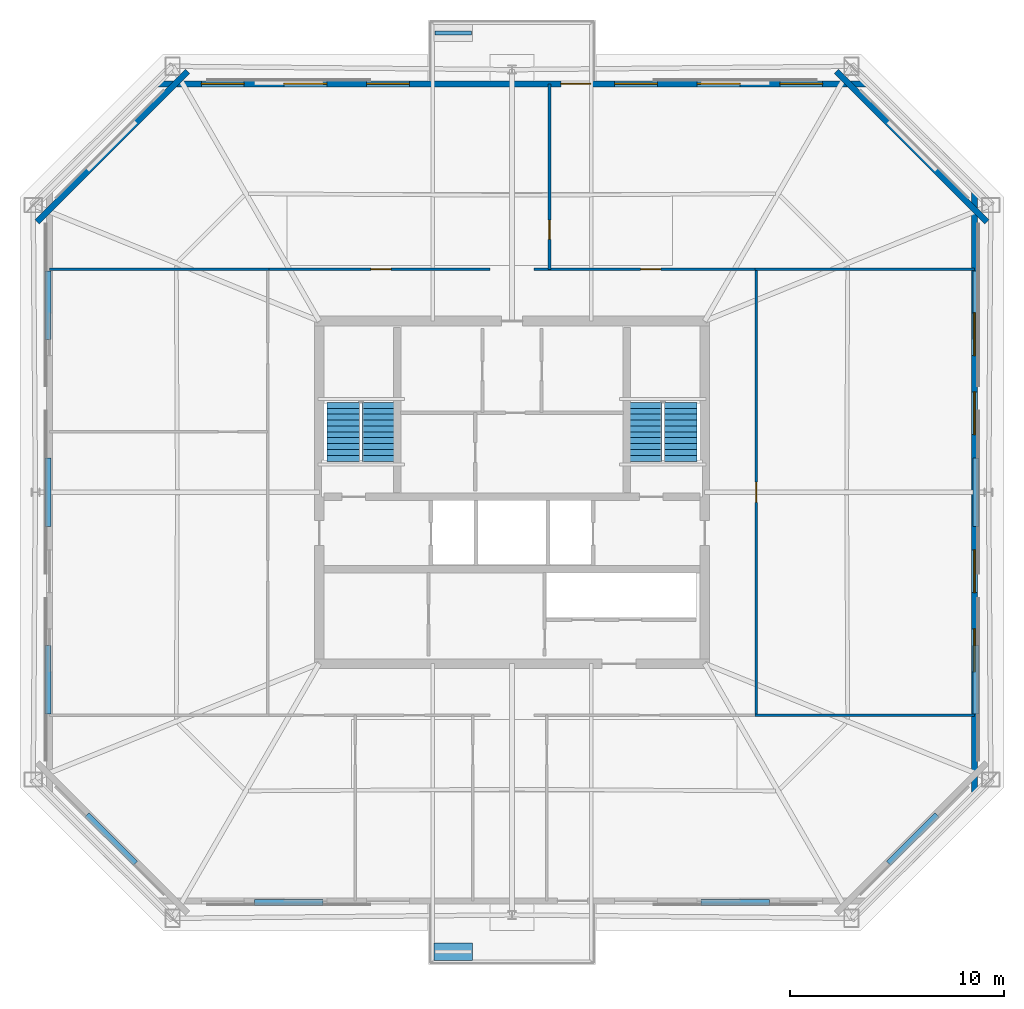
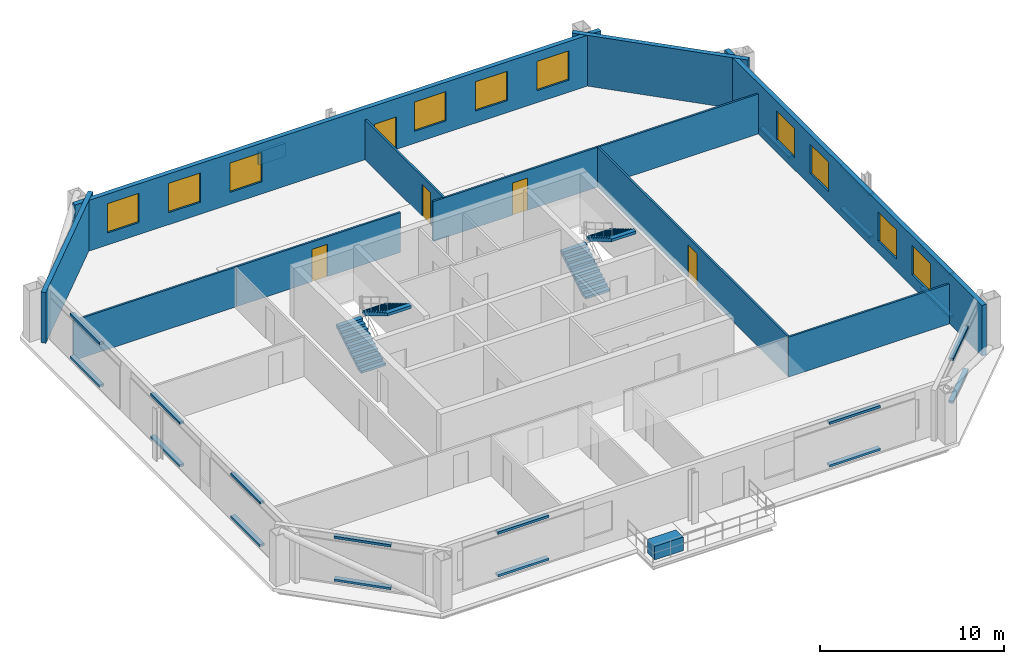
# One storey, part 4 of 7: 20 discrete accessories, 12 walls, 10 windows, 5 doors, 4 stair flights, 15 openings, 2 elements without a shape of their own.
"""IFC4 building model written with IfcOpenShell, lengths in metres."""

from ifc_helpers import new_model, si_unit, direction, frame, frame_2d, origin, origin_2d, place, context, subcontext, project, spatial, polyline, rectangle, outline, extrude, material, layer, layer_set, type_object, element, fill, aggregate, save


model = new_model("IFC4")

# Units and contexts
model_context = context("Model", 3, precision=1e-05, world=origin(), true_north=direction((0.0, 1.0)))
body_context = subcontext(model_context, "Body", "Model", "MODEL_VIEW")
ifc_project = project(units=[si_unit("LENGTHUNIT", "METRE"), si_unit("AREAUNIT", "SQUARE_METRE"), si_unit("VOLUMEUNIT", "CUBIC_METRE"), si_unit("PLANEANGLEUNIT", "RADIAN"), si_unit("MASSUNIT", "GRAM", prefix="KILO")], contexts=[model_context])

# Site, building, storey
site_placement = place(None, origin())
site = spatial("IfcSite", under=ifc_project, at=site_placement, CompositionType="ELEMENT")
building_placement = place(site_placement, origin())
building = spatial("IfcBuilding", under=site, at=building_placement, Name="Caelvoria Tower", CompositionType="ELEMENT")
storey_placement = place(building_placement, frame((0.0, 0.0, 187.800048828125)))
storey = spatial("IfcBuildingStorey", under=building, at=storey_placement, Name="L49", CompositionType="ELEMENT", Elevation=187.800048828125)

# Wall
ifc_material_1 = material(Name="Bronze-Clad Concrete C40/50", Category="concrete")
ifc_layer_1 = layer(ifc_material_1, 0.179931640625, Name="Bronze-Clad Concrete C40/50")
ifc_layer_set_1 = layer_set([ifc_layer_1], Name="Architectural Planter Kerb Wall 180 - Bronze-Clad Concrete C40/50")
wall_type_1 = type_object("IfcWallType", Name="Architectural Planter Kerb Wall 180", PredefinedType="PARAPET", material=ifc_layer_set_1)
wall_1_placement = place(storey_placement, frame((42.39990234375, 53.4599609375, 0.0), z_axis=(0.0, 0.0, 1.0), x_axis=(1.0, 0.0, 0.0)))
element("IfcWall", 1, at=wall_1_placement, inside=storey, type_object=wall_type_1, Name="Tree Balcony Planter Kerb PLANTER TB-L49-N", PredefinedType="PARAPET", context=body_context, shape_type="SweptSolid", body=[
    extrude(rectangle(XDim=1.7001953125, YDim=0.179931640625, at=frame_2d((0.85009765625, 0.0))), origin(), (0.0, 0.0, 1.0), 0.8798828125),
])

# Wall, openings, windows
ifc_material_2 = material(Name="Precast Concrete C40/50 with Bronze Cladding", Category="concrete")
ifc_layer_2 = layer(ifc_material_2, 0.280029296875, Name="Precast Concrete C40/50 with Bronze Cladding")
ifc_layer_set_2 = layer_set([ifc_layer_2], Name="Exterior Precast Concrete C40/50 Bronze-Clad Facade Wall 280 - Precast Concrete C40/50 with Bronze Cladding")
wall_type_2 = type_object("IfcWallType", Name="Exterior Precast Concrete C40/50 Bronze-Clad Facade Wall 280", PredefinedType="STANDARD", material=ifc_layer_set_2)
wall_2_placement = place(storey_placement, frame((67.60009765625, 17.97998046875, 0.0), z_axis=(0.0, 0.0, 1.0), x_axis=(0.0, 1.0, 0.0)))
wall_2 = element("IfcWall", 2, at=wall_2_placement, inside=storey, type_object=wall_type_2, Name="Exterior Facade Wall L49-E2", PredefinedType="STANDARD", context=body_context, shape_type="SweptSolid", body=[
    extrude(rectangle(XDim=28.0400390625, YDim=0.280029296875, at=frame_2d((14.02001953125, 0.0))), origin(), (0.0, 0.0, 1.0), 3.375),
])
opening_1_placement = place(wall_2_placement, frame((5.63720703125, 0.0, 0.800048828125)))
opening_1 = element("IfcOpeningElement", 3, at=opening_1_placement, cuts=wall_2, Name="Opening WN-01", PredefinedType="OPENING", context=body_context, shape_type="SweptSolid", body=[
    extrude(rectangle(XDim=2.0, YDim=1.949951171875, at=frame_2d((1.0, 0.97509765625))), frame((0.0, 0.14990234375, 0.0), z_axis=(0.0, -1.0, 0.0), x_axis=(1.0, 0.0, 0.0)), (0.0, 0.0, 1.0), 0.300048828125),
])
opening_2_placement = place(wall_2_placement, frame((9.32861328125, 0.0, 0.800048828125)))
opening_2 = element("IfcOpeningElement", 4, at=opening_2_placement, cuts=wall_2, Name="Opening WN-01", PredefinedType="OPENING", context=body_context, shape_type="SweptSolid", body=[
    extrude(rectangle(XDim=2.0, YDim=1.949951171875, at=frame_2d((1.0, 0.97509765625))), frame((0.0, 0.14990234375, 0.0), z_axis=(0.0, -1.0, 0.0), x_axis=(1.0, 0.0, 0.0)), (0.0, 0.0, 1.0), 0.300048828125),
])
opening_3_placement = place(wall_2_placement, frame((16.71142578125, 0.0, 0.800048828125)))
opening_3 = element("IfcOpeningElement", 5, at=opening_3_placement, cuts=wall_2, Name="Opening WN-01", PredefinedType="OPENING", context=body_context, shape_type="SweptSolid", body=[
    extrude(rectangle(XDim=2.0, YDim=1.949951171875, at=frame_2d((1.0, 0.97509765625))), frame((0.0, 0.14990234375, 0.0), z_axis=(0.0, -1.0, 0.0), x_axis=(1.0, 0.0, 0.0)), (0.0, 0.0, 1.0), 0.300048828125),
])
opening_4_placement = place(wall_2_placement, frame((20.40283203125, 0.0, 0.800048828125)))
opening_4 = element("IfcOpeningElement", 6, at=opening_4_placement, cuts=wall_2, Name="Opening WN-01", PredefinedType="OPENING", context=body_context, shape_type="SweptSolid", body=[
    extrude(rectangle(XDim=2.0, YDim=1.949951171875, at=frame_2d((1.0, 0.97509765625))), frame((0.0, 0.14990234375, 0.0), z_axis=(0.0, -1.0, 0.0), x_axis=(1.0, 0.0, 0.0)), (0.0, 0.0, 1.0), 0.300048828125),
])
ifc_material_3 = material(Name="Low-E Tinted Glass in Bronze Aluminium Frame", Category="aluminium")
window_type = type_object("IfcWindowType", Name="Tower Office Vision Window 2000x1950", PartitioningType="SINGLE_PANEL", PredefinedType="WINDOW", material=ifc_material_3)
window_1_placement = place(opening_1_placement, origin())
window_1 = element("IfcWindow", 7, at=window_1_placement, inside=storey, type_object=window_type, Name="Facade Window L49-E2-01", OverallHeight=1.949951171875, OverallWidth=2.0, PartitioningType="SINGLE_PANEL", PredefinedType="WINDOW", context=body_context, shape_type="SweptSolid", body=[
    extrude(rectangle(XDim=2.0, YDim=1.949951171875, at=frame_2d((1.0, 0.97509765625))), frame((0.0, 0.030029296875, 0.0), z_axis=(0.0, -1.0, 0.0), x_axis=(1.0, 0.0, 0.0)), (0.0, 0.0, 1.0), 0.06005859375),
])
fill(opening_1, window_1)
window_2_placement = place(opening_2_placement, origin())
window_2 = element("IfcWindow", 8, at=window_2_placement, inside=storey, type_object=window_type, Name="Facade Window L49-E2-02", OverallHeight=1.949951171875, OverallWidth=2.0, PartitioningType="SINGLE_PANEL", PredefinedType="WINDOW", context=body_context, shape_type="SweptSolid", body=[
    extrude(rectangle(XDim=2.0, YDim=1.949951171875, at=frame_2d((1.0, 0.97509765625))), frame((0.0, 0.030029296875, 0.0), z_axis=(0.0, -1.0, 0.0), x_axis=(1.0, 0.0, 0.0)), (0.0, 0.0, 1.0), 0.06005859375),
])
fill(opening_2, window_2)
window_3_placement = place(opening_3_placement, origin())
window_3 = element("IfcWindow", 9, at=window_3_placement, inside=storey, type_object=window_type, Name="Facade Window L49-E2-04", OverallHeight=1.949951171875, OverallWidth=2.0, PartitioningType="SINGLE_PANEL", PredefinedType="WINDOW", context=body_context, shape_type="SweptSolid", body=[
    extrude(rectangle(XDim=2.0, YDim=1.949951171875, at=frame_2d((1.0, 0.97509765625))), frame((0.0, 0.030029296875, 0.0), z_axis=(0.0, -1.0, 0.0), x_axis=(1.0, 0.0, 0.0)), (0.0, 0.0, 1.0), 0.06005859375),
])
fill(opening_3, window_3)
window_4_placement = place(opening_4_placement, origin())
window_4 = element("IfcWindow", 10, at=window_4_placement, inside=storey, type_object=window_type, Name="Facade Window L49-E2-05", OverallHeight=1.949951171875, OverallWidth=2.0, PartitioningType="SINGLE_PANEL", PredefinedType="WINDOW", context=body_context, shape_type="SweptSolid", body=[
    extrude(rectangle(XDim=2.0, YDim=1.949951171875, at=frame_2d((1.0, 0.97509765625))), frame((0.0, 0.030029296875, 0.0), z_axis=(0.0, -1.0, 0.0), x_axis=(1.0, 0.0, 0.0)), (0.0, 0.0, 1.0), 0.06005859375),
])
fill(opening_4, window_4)

# Wall
wall_3_placement = place(storey_placement, frame((68.173828125, 44.634521484375, 0.0), z_axis=(0.0, 0.0, 1.0), x_axis=(-0.707106781187, 0.707106781187, 0.0)))
element("IfcWall", 11, at=wall_3_placement, inside=storey, type_object=wall_type_2, Name="Exterior Facade Wall L49-E3", PredefinedType="STANDARD", context=body_context, shape_type="SweptSolid", body=[
    extrude(rectangle(XDim=9.9267578125, YDim=0.280029296875, at=frame_2d((4.96337890625, 0.0))), origin(), (0.0, 0.0, 1.0), 3.375),
])

# Wall, openings, windows, door
wall_4_placement = place(storey_placement, frame((62.5400390625, 51.080078125, 0.0), z_axis=(0.0, 0.0, 1.0), x_axis=(-1.0, 0.0, 0.0)))
wall_4 = element("IfcWall", 12, at=wall_4_placement, inside=storey, type_object=wall_type_2, Name="Exterior Facade Wall L49-E4", PredefinedType="STANDARD", context=body_context, shape_type="SweptSolid", body=[
    extrude(rectangle(XDim=33.080078125, YDim=0.280029296875, at=frame_2d((16.5400390625, 0.0))), origin(), (0.0, 0.0, 1.0), 3.375),
])
opening_5_placement = place(wall_4_placement, frame((12.860107421875, 0.0, 0.0)))
opening_5 = element("IfcOpeningElement", 13, at=opening_5_placement, cuts=wall_4, Name="Opening ED-04", PredefinedType="OPENING", context=body_context, shape_type="SweptSolid", body=[
    extrude(rectangle(XDim=1.39990234375, YDim=2.14990234375, at=frame_2d((0.699951171875, 1.074951171875))), frame((0.0, 0.14990234375, 0.0), z_axis=(0.0, -1.0, 0.0), x_axis=(1.0, 0.0, 0.0)), (0.0, 0.0, 1.0), 0.300048828125),
])
opening_6_placement = place(wall_4_placement, frame((2.030029296875, 0.0, 0.800048828125)))
opening_6 = element("IfcOpeningElement", 14, at=opening_6_placement, cuts=wall_4, Name="Opening WN-01", PredefinedType="OPENING", context=body_context, shape_type="SweptSolid", body=[
    extrude(rectangle(XDim=2.0, YDim=1.949951171875, at=frame_2d((1.0, 0.97509765625))), frame((0.0, 0.14990234375, 0.0), z_axis=(0.0, -1.0, 0.0), x_axis=(1.0, 0.0, 0.0)), (0.0, 0.0, 1.0), 0.300048828125),
])
opening_7_placement = place(wall_4_placement, frame((5.889892578125, 0.0, 0.800048828125)))
opening_7 = element("IfcOpeningElement", 15, at=opening_7_placement, cuts=wall_4, Name="Opening WN-01", PredefinedType="OPENING", context=body_context, shape_type="SweptSolid", body=[
    extrude(rectangle(XDim=2.0, YDim=1.949951171875, at=frame_2d((1.0, 0.97509765625))), frame((0.0, 0.14990234375, 0.0), z_axis=(0.0, -1.0, 0.0), x_axis=(1.0, 0.0, 0.0)), (0.0, 0.0, 1.0), 0.300048828125),
])
opening_8_placement = place(wall_4_placement, frame((9.75, 0.0, 0.800048828125)))
opening_8 = element("IfcOpeningElement", 16, at=opening_8_placement, cuts=wall_4, Name="Opening WN-01", PredefinedType="OPENING", context=body_context, shape_type="SweptSolid", body=[
    extrude(rectangle(XDim=2.0, YDim=1.949951171875, at=frame_2d((1.0, 0.97509765625))), frame((0.0, 0.14990234375, 0.0), z_axis=(0.0, -1.0, 0.0), x_axis=(1.0, 0.0, 0.0)), (0.0, 0.0, 1.0), 0.300048828125),
])
opening_9_placement = place(wall_4_placement, frame((21.330078125, 0.0, 0.800048828125)))
opening_9 = element("IfcOpeningElement", 17, at=opening_9_placement, cuts=wall_4, Name="Opening WN-01", PredefinedType="OPENING", context=body_context, shape_type="SweptSolid", body=[
    extrude(rectangle(XDim=2.0, YDim=1.949951171875, at=frame_2d((1.0, 0.97509765625))), frame((0.0, 0.14990234375, 0.0), z_axis=(0.0, -1.0, 0.0), x_axis=(1.0, 0.0, 0.0)), (0.0, 0.0, 1.0), 0.300048828125),
])
opening_10_placement = place(wall_4_placement, frame((25.18994140625, 0.0, 0.800048828125)))
opening_10 = element("IfcOpeningElement", 18, at=opening_10_placement, cuts=wall_4, Name="Opening WN-01", PredefinedType="OPENING", context=body_context, shape_type="SweptSolid", body=[
    extrude(rectangle(XDim=2.0, YDim=1.949951171875, at=frame_2d((1.0, 0.97509765625))), frame((0.0, 0.14990234375, 0.0), z_axis=(0.0, -1.0, 0.0), x_axis=(1.0, 0.0, 0.0)), (0.0, 0.0, 1.0), 0.300048828125),
])
opening_11_placement = place(wall_4_placement, frame((29.050048828125, 0.0, 0.800048828125)))
opening_11 = element("IfcOpeningElement", 19, at=opening_11_placement, cuts=wall_4, Name="Opening WN-01", PredefinedType="OPENING", context=body_context, shape_type="SweptSolid", body=[
    extrude(rectangle(XDim=2.0, YDim=1.949951171875, at=frame_2d((1.0, 0.97509765625))), frame((0.0, 0.14990234375, 0.0), z_axis=(0.0, -1.0, 0.0), x_axis=(1.0, 0.0, 0.0)), (0.0, 0.0, 1.0), 0.300048828125),
])
window_5_placement = place(opening_6_placement, origin())
window_5 = element("IfcWindow", 20, at=window_5_placement, inside=storey, type_object=window_type, Name="Facade Window L49-E4-00", OverallHeight=1.949951171875, OverallWidth=2.0, PartitioningType="SINGLE_PANEL", PredefinedType="WINDOW", context=body_context, shape_type="SweptSolid", body=[
    extrude(rectangle(XDim=2.0, YDim=1.949951171875, at=frame_2d((1.0, 0.97509765625))), frame((0.0, 0.030029296875, 0.0), z_axis=(0.0, -1.0, 0.0), x_axis=(1.0, 0.0, 0.0)), (0.0, 0.0, 1.0), 0.06005859375),
])
fill(opening_6, window_5)
window_6_placement = place(opening_7_placement, origin())
window_6 = element("IfcWindow", 21, at=window_6_placement, inside=storey, type_object=window_type, Name="Facade Window L49-E4-01", OverallHeight=1.949951171875, OverallWidth=2.0, PartitioningType="SINGLE_PANEL", PredefinedType="WINDOW", context=body_context, shape_type="SweptSolid", body=[
    extrude(rectangle(XDim=2.0, YDim=1.949951171875, at=frame_2d((1.0, 0.97509765625))), frame((0.0, 0.030029296875, 0.0), z_axis=(0.0, -1.0, 0.0), x_axis=(1.0, 0.0, 0.0)), (0.0, 0.0, 1.0), 0.06005859375),
])
fill(opening_7, window_6)
window_7_placement = place(opening_8_placement, origin())
window_7 = element("IfcWindow", 22, at=window_7_placement, inside=storey, type_object=window_type, Name="Facade Window L49-E4-02", OverallHeight=1.949951171875, OverallWidth=2.0, PartitioningType="SINGLE_PANEL", PredefinedType="WINDOW", context=body_context, shape_type="SweptSolid", body=[
    extrude(rectangle(XDim=2.0, YDim=1.949951171875, at=frame_2d((1.0, 0.97509765625))), frame((0.0, 0.030029296875, 0.0), z_axis=(0.0, -1.0, 0.0), x_axis=(1.0, 0.0, 0.0)), (0.0, 0.0, 1.0), 0.06005859375),
])
fill(opening_8, window_7)
window_8_placement = place(opening_9_placement, origin())
window_8 = element("IfcWindow", 23, at=window_8_placement, inside=storey, type_object=window_type, Name="Facade Window L49-E4-05", OverallHeight=1.949951171875, OverallWidth=2.0, PartitioningType="SINGLE_PANEL", PredefinedType="WINDOW", context=body_context, shape_type="SweptSolid", body=[
    extrude(rectangle(XDim=2.0, YDim=1.949951171875, at=frame_2d((1.0, 0.97509765625))), frame((0.0, 0.030029296875, 0.0), z_axis=(0.0, -1.0, 0.0), x_axis=(1.0, 0.0, 0.0)), (0.0, 0.0, 1.0), 0.06005859375),
])
fill(opening_9, window_8)
window_9_placement = place(opening_10_placement, origin())
window_9 = element("IfcWindow", 24, at=window_9_placement, inside=storey, type_object=window_type, Name="Facade Window L49-E4-06", OverallHeight=1.949951171875, OverallWidth=2.0, PartitioningType="SINGLE_PANEL", PredefinedType="WINDOW", context=body_context, shape_type="SweptSolid", body=[
    extrude(rectangle(XDim=2.0, YDim=1.949951171875, at=frame_2d((1.0, 0.97509765625))), frame((0.0, 0.030029296875, 0.0), z_axis=(0.0, -1.0, 0.0), x_axis=(1.0, 0.0, 0.0)), (0.0, 0.0, 1.0), 0.06005859375),
])
fill(opening_10, window_9)
window_10_placement = place(opening_11_placement, origin())
window_10 = element("IfcWindow", 25, at=window_10_placement, inside=storey, type_object=window_type, Name="Facade Window L49-E4-07", OverallHeight=1.949951171875, OverallWidth=2.0, PartitioningType="SINGLE_PANEL", PredefinedType="WINDOW", context=body_context, shape_type="SweptSolid", body=[
    extrude(rectangle(XDim=2.0, YDim=1.949951171875, at=frame_2d((1.0, 0.97509765625))), frame((0.0, 0.030029296875, 0.0), z_axis=(0.0, -1.0, 0.0), x_axis=(1.0, 0.0, 0.0)), (0.0, 0.0, 1.0), 0.06005859375),
])
fill(opening_11, window_10)
ifc_material_4 = material(Name="Anodised Bronze Aluminium and Laminated Glass", Category="aluminium")
door_type_1 = type_object("IfcDoorType", Name="Tree Balcony Glazed Door 1400x2150", OperationType="NOTDEFINED", PredefinedType="DOOR", material=ifc_material_4)
door_1_placement = place(opening_5_placement, origin())
door_1 = element("IfcDoor", 26, at=door_1_placement, inside=storey, type_object=door_type_1, Name="Tree Balcony Door L49-N", OperationType="SINGLE_SWING_RIGHT", OverallHeight=2.14990234375, OverallWidth=1.39990234375, PredefinedType="DOOR", context=body_context, shape_type="SweptSolid", body=[
    extrude(rectangle(XDim=1.39990234375, YDim=2.14990234375, at=frame_2d((0.699951171875, 1.074951171875))), frame((0.0, 0.02490234375, 0.0), z_axis=(0.0, -1.0, 0.0), x_axis=(1.0, 0.0, 0.0)), (0.0, 0.0, 1.0), 0.050048828125),
])
fill(opening_5, door_1)

# Wall
wall_5_placement = place(storey_placement, frame((30.845458984375, 51.65380859375, 0.0), z_axis=(0.0, 0.0, 1.0), x_axis=(-0.707106781187, -0.707106781187, 0.0)))
element("IfcWall", 27, at=wall_5_placement, inside=storey, type_object=wall_type_2, Name="Exterior Facade Wall L49-E5", PredefinedType="STANDARD", context=body_context, shape_type="SweptSolid", body=[
    extrude(rectangle(XDim=9.9267578125, YDim=0.280029296875, at=frame_2d((4.96337890625, 0.0))), origin(), (0.0, 0.0, 1.0), 3.375),
])

# Wall, opening, door
ifc_material_5 = material(Name="Acoustic Gypsum Board on Light-Gauge Stud", Category="gypsum")
ifc_layer_3 = layer(ifc_material_5, 0.1201171875, Name="Acoustic Gypsum Board on Light-Gauge Stud")
ifc_layer_set_3 = layer_set([ifc_layer_3], Name="Tenant Suite Acoustic Partition Wall 120 - Acoustic Gypsum Board on Light-Gauge Stud")
wall_type_3 = type_object("IfcWallType", Name="Tenant Suite Acoustic Partition Wall 120", PredefinedType="PARTITIONING", material=ifc_layer_set_3)
wall_6_placement = place(storey_placement, frame((47.75146484375, 42.409912109375, 0.0), z_axis=(0.0, 0.0, 1.0), x_axis=(0.0, 1.0, 0.0)))
wall_6 = element("IfcWall", 28, at=wall_6_placement, inside=storey, type_object=wall_type_3, Name="Interior Partition IW-L49-ND-00-0", PredefinedType="PARTITIONING", context=body_context, shape_type="SweptSolid", body=[
    extrude(rectangle(XDim=8.670166015625, YDim=0.1201171875, at=frame_2d((4.3349609375, 0.0))), origin(), (0.0, 0.0, 1.0), 2.655029296875),
])
opening_12_placement = place(wall_6_placement, frame((1.39990234375, 0.0, 0.0)))
opening_12 = element("IfcOpeningElement", 29, at=opening_12_placement, cuts=wall_6, Name="Opening ID-06", PredefinedType="OPENING", context=body_context, shape_type="SweptSolid", body=[
    extrude(rectangle(XDim=0.89990234375, YDim=2.14990234375, at=frame_2d((0.449951171875, 1.074951171875))), frame((0.0, 0.070068359375, 0.0), z_axis=(0.0, -1.0, 0.0), x_axis=(1.0, 0.0, 0.0)), (0.0, 0.0, 1.0), 0.14013671875),
])
ifc_material_6 = material(Name="Engineered Andean Oak Veneer Door", Category="wood")
door_type_2 = type_object("IfcDoorType", Name="Interior Timber Door 900x2150", OperationType="NOTDEFINED", PredefinedType="DOOR", material=ifc_material_6)
door_2_placement = place(opening_12_placement, origin())
door_2 = element("IfcDoor", 30, at=door_2_placement, inside=storey, type_object=door_type_2, Name="Interior Door DR-L49-NM-00-0", OperationType="SINGLE_SWING_RIGHT", OverallHeight=2.14990234375, OverallWidth=0.89990234375, PredefinedType="DOOR", context=body_context, shape_type="SweptSolid", body=[
    extrude(rectangle(XDim=0.89990234375, YDim=2.14990234375, at=frame_2d((0.449951171875, 1.074951171875))), frame((0.0, 0.02490234375, 0.0), z_axis=(0.0, -1.0, 0.0), x_axis=(1.0, 0.0, 0.0)), (0.0, 0.0, 1.0), 0.050048828125),
])
fill(opening_12, door_2)

wall_7_placement = place(storey_placement, frame((34.64990234375, 42.409912109375, 0.0), z_axis=(0.0, 0.0, 1.0), x_axis=(1.0, 0.0, 0.0)))
wall_7 = element("IfcWall", 31, at=wall_7_placement, inside=storey, type_object=wall_type_3, Name="Interior Partition IW-L49-NCW-0", PredefinedType="PARTITIONING", context=body_context, shape_type="SweptSolid", body=[
    extrude(rectangle(XDim=10.330078125, YDim=0.1201171875, at=frame_2d((5.1650390625, 0.0))), origin(), (0.0, 0.0, 1.0), 2.655029296875),
])
opening_13_placement = place(wall_7_placement, frame((4.760009765625, 0.0, 0.0)))
opening_13 = element("IfcOpeningElement", 32, at=opening_13_placement, cuts=wall_7, Name="Opening ID-05", PredefinedType="OPENING", context=body_context, shape_type="SweptSolid", body=[
    extrude(rectangle(XDim=0.949951171875, YDim=2.14990234375, at=frame_2d((0.47509765625, 1.074951171875))), frame((0.0, 0.070068359375, 0.0), z_axis=(0.0, -1.0, 0.0), x_axis=(1.0, 0.0, 0.0)), (0.0, 0.0, 1.0), 0.14013671875),
])
door_type_3 = type_object("IfcDoorType", Name="Interior Timber Door 950x2150", OperationType="NOTDEFINED", PredefinedType="DOOR", material=ifc_material_6)
door_3_placement = place(opening_13_placement, origin())
door_3 = element("IfcDoor", 33, at=door_3_placement, inside=storey, type_object=door_type_3, Name="Interior Door DR-L49-NC-00-0", OperationType="SINGLE_SWING_RIGHT", OverallHeight=2.14990234375, OverallWidth=0.949951171875, PredefinedType="DOOR", context=body_context, shape_type="SweptSolid", body=[
    extrude(rectangle(XDim=0.949951171875, YDim=2.14990234375, at=frame_2d((0.47509765625, 1.074951171875))), frame((0.0, 0.02490234375, 0.0), z_axis=(0.0, -1.0, 0.0), x_axis=(1.0, 0.0, 0.0)), (0.0, 0.0, 1.0), 0.050048828125),
])
fill(opening_13, door_3)

wall_8_placement = place(storey_placement, frame((47.02001953125, 42.409912109375, 0.0), z_axis=(0.0, 0.0, 1.0), x_axis=(1.0, 0.0, 0.0)))
wall_8 = element("IfcWall", 34, at=wall_8_placement, inside=storey, type_object=wall_type_3, Name="Interior Partition IW-L49-NCW-1", PredefinedType="PARTITIONING", context=body_context, shape_type="SweptSolid", body=[
    extrude(rectangle(XDim=10.330078125, YDim=0.1201171875, at=frame_2d((5.1650390625, 0.0))), origin(), (0.0, 0.0, 1.0), 2.655029296875),
])
opening_14_placement = place(wall_8_placement, frame((4.985595703125, 0.0, 0.0)))
opening_14 = element("IfcOpeningElement", 35, at=opening_14_placement, cuts=wall_8, Name="Opening ID-05", PredefinedType="OPENING", context=body_context, shape_type="SweptSolid", body=[
    extrude(rectangle(XDim=0.949951171875, YDim=2.14990234375, at=frame_2d((0.47509765625, 1.074951171875))), frame((0.0, 0.070068359375, 0.0), z_axis=(0.0, -1.0, 0.0), x_axis=(1.0, 0.0, 0.0)), (0.0, 0.0, 1.0), 0.14013671875),
])
door_4_placement = place(opening_14_placement, origin())
door_4 = element("IfcDoor", 36, at=door_4_placement, inside=storey, type_object=door_type_3, Name="Interior Door DR-L49-NC-01-0", OperationType="SINGLE_SWING_LEFT", OverallHeight=2.14990234375, OverallWidth=0.949951171875, PredefinedType="DOOR", context=body_context, shape_type="SweptSolid", body=[
    extrude(rectangle(XDim=0.949951171875, YDim=2.14990234375, at=frame_2d((0.47509765625, 1.074951171875))), frame((0.0, 0.02490234375, 0.0), z_axis=(0.0, -1.0, 0.0), x_axis=(1.0, 0.0, 0.0)), (0.0, 0.0, 1.0), 0.050048828125),
])
fill(opening_14, door_4)

wall_9_placement = place(storey_placement, frame((57.409912109375, 21.64990234375, 0.0), z_axis=(0.0, 0.0, 1.0), x_axis=(0.0, 1.0, 0.0)))
wall_9 = element("IfcWall", 37, at=wall_9_placement, inside=storey, type_object=wall_type_3, Name="Interior Partition IW-L49-ECW-0", PredefinedType="PARTITIONING", context=body_context, shape_type="SweptSolid", body=[
    extrude(rectangle(XDim=20.7001953125, YDim=0.1201171875, at=frame_2d((10.35009765625, 0.0))), origin(), (0.0, 0.0, 1.0), 2.655029296875),
])
opening_15_placement = place(wall_9_placement, frame((9.875, 0.0, 0.0)))
opening_15 = element("IfcOpeningElement", 38, at=opening_15_placement, cuts=wall_9, Name="Opening ID-05", PredefinedType="OPENING", context=body_context, shape_type="SweptSolid", body=[
    extrude(rectangle(XDim=0.949951171875, YDim=2.14990234375, at=frame_2d((0.47509765625, 1.074951171875))), frame((0.0, 0.070068359375, 0.0), z_axis=(0.0, -1.0, 0.0), x_axis=(1.0, 0.0, 0.0)), (0.0, 0.0, 1.0), 0.14013671875),
])
door_5_placement = place(opening_15_placement, origin())
door_5 = element("IfcDoor", 39, at=door_5_placement, inside=storey, type_object=door_type_3, Name="Interior Door DR-L49-EC-00-0", OperationType="SINGLE_SWING_RIGHT", OverallHeight=2.14990234375, OverallWidth=0.949951171875, PredefinedType="DOOR", context=body_context, shape_type="SweptSolid", body=[
    extrude(rectangle(XDim=0.949951171875, YDim=2.14990234375, at=frame_2d((0.47509765625, 1.074951171875))), frame((0.0, 0.02490234375, 0.0), z_axis=(0.0, -1.0, 0.0), x_axis=(1.0, 0.0, 0.0)), (0.0, 0.0, 1.0), 0.050048828125),
])
fill(opening_15, door_5)

# Walls
for number, where, z_axis, x_axis, name in (
    (40, (57.35009765625, 21.590087890625, 0.0), (0.0, 0.0, 1.0), (1.0, 0.0, 0.0), "Interior Partition IW-L49-BSE-0"),
    (41, (34.64990234375, 42.409912109375, 0.0), (0.0, 0.0, 1.0), (-1.0, 0.0, 0.0), "Interior Partition IW-L49-BNW-0"),
    (42, (57.35009765625, 42.409912109375, 0.0), (0.0, 0.0, 1.0), (1.0, 0.0, 0.0), "Interior Partition IW-L49-BNE-0"),
):
    element("IfcWall", number, at=place(storey_placement, frame(where, z_axis=z_axis, x_axis=x_axis)), inside=storey, type_object=wall_type_3, Name=name, PredefinedType="PARTITIONING", context=body_context, shape_type="SweptSolid", body=[
        extrude(rectangle(XDim=10.25, YDim=0.1201171875, at=frame_2d((5.125, 0.0))), origin(), (0.0, 0.0, 1.0), 2.655029296875),
    ])

# Stair, stair flights
ifc_material_7 = material(Name="Concrete C40/50", Category="concrete")
stair_type = type_object("IfcStairType", Name="Core Smokeproof Dogleg Stair Concrete C40/50", PredefinedType="HALF_TURN_STAIR", material=ifc_material_7)
stair_1_placement = place(storey_placement, origin())
stair_1 = element("IfcStair", 43, at=stair_1_placement, inside=storey, type_object=stair_type, Name="ST-01 Smokeproof Exit Stair L49", PredefinedType="HALF_TURN_STAIR")
ifc_material_8 = material(Name="Precast Concrete C40/50", Category="concrete")
stair_flight_type = type_object("IfcStairFlightType", Name="Precast Concrete C40/50 Stair Flight 1480", PredefinedType="STRAIGHT", material=ifc_material_8)
stair_flight_1_placement = place(storey_placement, frame((38.1298828125, 33.449951171875, 0.0), z_axis=(0.0, 0.0, 1.0), x_axis=(0.0, 1.0, 0.0)))
stair_flight_1 = element("IfcStairFlight", 44, at=stair_flight_1_placement, type_object=stair_flight_type, Name="ST-01 flight 1", NumberOfRisers=11, NumberOfTreads=10, PredefinedType="STRAIGHT", RiserHeight=0.1636, TreadLength=0.275, context=body_context, shape_type="SweptSolid", body=[
    extrude(outline(polyline([(0.0, 0.0), (0.0, 0.16357421875), (0.27490234375, 0.16357421875), (0.27490234375, 0.3271484375), (0.550048828125, 0.3271484375), (0.550048828125, 0.49072265625), (0.824951171875, 0.49072265625), (0.824951171875, 0.654296875), (1.10009765625, 0.654296875), (1.10009765625, 0.818115234375), (1.375, 0.818115234375), (1.375, 0.981689453125), (1.64990234375, 0.981689453125), (1.64990234375, 1.145263671875), (1.925048828125, 1.145263671875), (1.925048828125, 1.308837890625), (2.199951171875, 1.308837890625), (2.199951171875, 1.472412109375), (2.47509765625, 1.472412109375), (2.47509765625, 1.635986328125), (2.75, 1.635986328125), (2.75, 1.799560546875), (2.75, 1.449951171875), (0.312744140625, 0.0), (0.0, 0.0)])), frame((0.0, 0.77001953125, 0.0), z_axis=(0.0, -1.0, 0.0), x_axis=(1.0, 0.0, 0.0)), (0.0, 0.0, 1.0), 1.5400390625),
])
stair_flight_2_placement = place(storey_placement, frame((39.77001953125, 36.199951171875, 1.800048828125), z_axis=(0.0, 0.0, 1.0), x_axis=(0.0, -1.0, 0.0)))
stair_flight_2 = element("IfcStairFlight", 45, at=stair_flight_2_placement, type_object=stair_flight_type, Name="ST-01 flight 2", NumberOfRisers=11, NumberOfTreads=10, PredefinedType="STRAIGHT", RiserHeight=0.1636, TreadLength=0.275, context=body_context, shape_type="SweptSolid", body=[
    extrude(outline(polyline([(0.0, 0.0), (0.0, 0.16357421875), (0.27490234375, 0.16357421875), (0.27490234375, 0.3271484375), (0.550048828125, 0.3271484375), (0.550048828125, 0.49072265625), (0.824951171875, 0.49072265625), (0.824951171875, 0.654296875), (1.10009765625, 0.654296875), (1.10009765625, 0.818115234375), (1.375, 0.818115234375), (1.375, 0.981689453125), (1.64990234375, 0.981689453125), (1.64990234375, 1.145263671875), (1.925048828125, 1.145263671875), (1.925048828125, 1.308837890625), (2.199951171875, 1.308837890625), (2.199951171875, 1.472412109375), (2.47509765625, 1.472412109375), (2.47509765625, 1.635986328125), (2.75, 1.635986328125), (2.75, 1.799560546875), (2.75, 1.449951171875), (0.312744140625, 0.0), (0.0, 0.0)])), frame((0.0, 0.77001953125, 0.0), z_axis=(0.0, -1.0, 0.0), x_axis=(1.0, 0.0, 0.0)), (0.0, 0.0, 1.0), 1.5400390625),
])
aggregate(stair_1, [stair_flight_1, stair_flight_2])

stair_2_placement = place(storey_placement, origin())
stair_2 = element("IfcStair", 46, at=stair_2_placement, inside=storey, type_object=stair_type, Name="ST-02 Smokeproof Exit Stair L49", PredefinedType="HALF_TURN_STAIR")
stair_flight_3_placement = place(storey_placement, frame((52.22998046875, 33.449951171875, 0.0), z_axis=(0.0, 0.0, 1.0), x_axis=(0.0, 1.0, 0.0)))
stair_flight_3 = element("IfcStairFlight", 47, at=stair_flight_3_placement, type_object=stair_flight_type, Name="ST-02 flight 1", NumberOfRisers=11, NumberOfTreads=10, PredefinedType="STRAIGHT", RiserHeight=0.1636, TreadLength=0.275, context=body_context, shape_type="SweptSolid", body=[
    extrude(outline(polyline([(0.0, 0.0), (0.0, 0.16357421875), (0.27490234375, 0.16357421875), (0.27490234375, 0.3271484375), (0.550048828125, 0.3271484375), (0.550048828125, 0.49072265625), (0.824951171875, 0.49072265625), (0.824951171875, 0.654296875), (1.10009765625, 0.654296875), (1.10009765625, 0.818115234375), (1.375, 0.818115234375), (1.375, 0.981689453125), (1.64990234375, 0.981689453125), (1.64990234375, 1.145263671875), (1.925048828125, 1.145263671875), (1.925048828125, 1.308837890625), (2.199951171875, 1.308837890625), (2.199951171875, 1.472412109375), (2.47509765625, 1.472412109375), (2.47509765625, 1.635986328125), (2.75, 1.635986328125), (2.75, 1.799560546875), (2.75, 1.449951171875), (0.312744140625, 0.0), (0.0, 0.0)])), frame((0.0, 0.77001953125, 0.0), z_axis=(0.0, -1.0, 0.0), x_axis=(1.0, 0.0, 0.0)), (0.0, 0.0, 1.0), 1.5400390625),
])
stair_flight_4_placement = place(storey_placement, frame((53.8701171875, 36.199951171875, 1.800048828125), z_axis=(0.0, 0.0, 1.0), x_axis=(0.0, -1.0, 0.0)))
stair_flight_4 = element("IfcStairFlight", 48, at=stair_flight_4_placement, type_object=stair_flight_type, Name="ST-02 flight 2", NumberOfRisers=11, NumberOfTreads=10, PredefinedType="STRAIGHT", RiserHeight=0.1636, TreadLength=0.275, context=body_context, shape_type="SweptSolid", body=[
    extrude(outline(polyline([(0.0, 0.0), (0.0, 0.16357421875), (0.27490234375, 0.16357421875), (0.27490234375, 0.3271484375), (0.550048828125, 0.3271484375), (0.550048828125, 0.49072265625), (0.824951171875, 0.49072265625), (0.824951171875, 0.654296875), (1.10009765625, 0.654296875), (1.10009765625, 0.818115234375), (1.375, 0.818115234375), (1.375, 0.981689453125), (1.64990234375, 0.981689453125), (1.64990234375, 1.145263671875), (1.925048828125, 1.145263671875), (1.925048828125, 1.308837890625), (2.199951171875, 1.308837890625), (2.199951171875, 1.472412109375), (2.47509765625, 1.472412109375), (2.47509765625, 1.635986328125), (2.75, 1.635986328125), (2.75, 1.799560546875), (2.75, 1.449951171875), (0.312744140625, 0.0), (0.0, 0.0)])), frame((0.0, 0.77001953125, 0.0), z_axis=(0.0, -1.0, 0.0), x_axis=(1.0, 0.0, 0.0)), (0.0, 0.0, 1.0), 1.5400390625),
])
aggregate(stair_2, [stair_flight_3, stair_flight_4])

# Discrete accessories
ifc_material_9 = material(Name="Anodised Bronze Stainless Bracket", Category="bronze")
discrete_accessory_type_1 = type_object("IfcDiscreteAccessoryType", Name="Solar Screen Outrigger Support Bracket", PredefinedType="BRACKET", material=ifc_material_9)
for number, where, z_axis, x_axis, name in (
    (49, (35.5732421875, 12.843017578125, 0.240234375), (0.0, 0.0, 1.0), (1.0, 0.0, 0.0), "Solar Screen Bracket L49-E0-00"),
    (50, (35.5732421875, 12.843017578125, 3.0751953125), (0.0, 0.0, 1.0), (1.0, 0.0, 0.0), "Upper Screen Band Bracket L49-E0-00"),
    (51, (56.4267578125, 12.843017578125, 0.240234375), (0.0, 0.0, 1.0), (1.0, 0.0, 0.0), "Solar Screen Bracket L49-E0-02"),
    (52, (56.4267578125, 12.843017578125, 3.0751953125), (0.0, 0.0, 1.0), (1.0, 0.0, 0.0), "Upper Screen Band Bracket L49-E0-02"),
    (53, (64.718505859375, 15.801513671875, 0.240234375), (0.0, 0.0, 1.0), (0.707106781187, 0.707106781187, 0.0), "Solar Screen Bracket L49-E1-00"),
    (54, (64.718505859375, 15.801513671875, 3.0751953125), (0.0, 0.0, 1.0), (0.707106781187, 0.707106781187, 0.0), "Upper Screen Band Bracket L49-E1-00"),
    (55, (67.677001953125, 23.25341796875, 0.240234375), (0.0, 0.0, 1.0), (0.0, 1.0, 0.0), "Solar Screen Bracket L49-E2-00"),
    (56, (67.677001953125, 23.25341796875, 3.0751953125), (0.0, 0.0, 1.0), (0.0, 1.0, 0.0), "Upper Screen Band Bracket L49-E2-00"),
    (57, (67.677001953125, 32.0, 0.240234375), (0.0, 0.0, 1.0), (0.0, 1.0, 0.0), "Solar Screen Bracket L49-E2-01"),
    (58, (67.677001953125, 32.0, 3.0751953125), (0.0, 0.0, 1.0), (0.0, 1.0, 0.0), "Upper Screen Band Bracket L49-E2-01"),
    (59, (67.677001953125, 40.74658203125, 0.240234375), (0.0, 0.0, 1.0), (0.0, 1.0, 0.0), "Solar Screen Bracket L49-E2-02"),
    (60, (24.322998046875, 40.74658203125, 0.240234375), (0.0, 0.0, 1.0), (0.0, -1.0, 0.0), "Solar Screen Bracket L49-E6-00"),
    (61, (24.322998046875, 40.74658203125, 3.0751953125), (0.0, 0.0, 1.0), (0.0, -1.0, 0.0), "Upper Screen Band Bracket L49-E6-00"),
    (62, (24.322998046875, 32.0, 0.240234375), (0.0, 0.0, 1.0), (0.0, -1.0, 0.0), "Solar Screen Bracket L49-E6-01"),
    (63, (24.322998046875, 32.0, 3.0751953125), (0.0, 0.0, 1.0), (0.0, -1.0, 0.0), "Upper Screen Band Bracket L49-E6-01"),
    (64, (24.322998046875, 23.25341796875, 0.240234375), (0.0, 0.0, 1.0), (0.0, -1.0, 0.0), "Solar Screen Bracket L49-E6-02"),
    (65, (24.322998046875, 23.25341796875, 3.0751953125), (0.0, 0.0, 1.0), (0.0, -1.0, 0.0), "Upper Screen Band Bracket L49-E6-02"),
    (66, (27.281494140625, 15.801513671875, 0.240234375), (0.0, 0.0, 1.0), (0.707106781187, -0.707106781187, 0.0), "Solar Screen Bracket L49-E7-00"),
    (67, (27.281494140625, 15.801513671875, 3.0751953125), (0.0, 0.0, 1.0), (0.707106781187, -0.707106781187, 0.0), "Upper Screen Band Bracket L49-E7-00"),
):
    element("IfcDiscreteAccessory", number, at=place(storey_placement, frame(where, z_axis=z_axis, x_axis=x_axis)), inside=storey, type_object=discrete_accessory_type_1, Name=name, PredefinedType="BRACKET", context=body_context, shape_type="SweptSolid", body=[
        extrude(rectangle(XDim=3.199951171875, YDim=0.280029296875, at=origin_2d()), origin(), (0.0, 0.0, 1.0), 0.159912109375),
    ])
ifc_material_10 = material(Name="Bronze-Clad Concrete C40/50 Planter Vessel", Category="concrete")
discrete_accessory_type_2 = type_object("IfcDiscreteAccessoryType", Name="Tree Balcony Structural Planter Vessel PLANTER", PredefinedType="USERDEFINED", material=ifc_material_10)
discrete_accessory_placement = place(storey_placement, frame((43.25, 10.5400390625, 0.0), z_axis=(0.0, 0.0, 1.0), x_axis=(1.0, 0.0, 0.0)))
element("IfcDiscreteAccessory", 68, at=discrete_accessory_placement, inside=storey, type_object=discrete_accessory_type_2, Name="Tree Balcony Planter TB-L49-S", ObjectType="PLANTER", PredefinedType="USERDEFINED", context=body_context, shape_type="SweptSolid", body=[
    extrude(rectangle(XDim=1.800048828125, YDim=0.800048828125, at=origin_2d()), origin(), (0.0, 0.0, 1.0), 0.89990234375),
])

save(model, "model.ifc")
